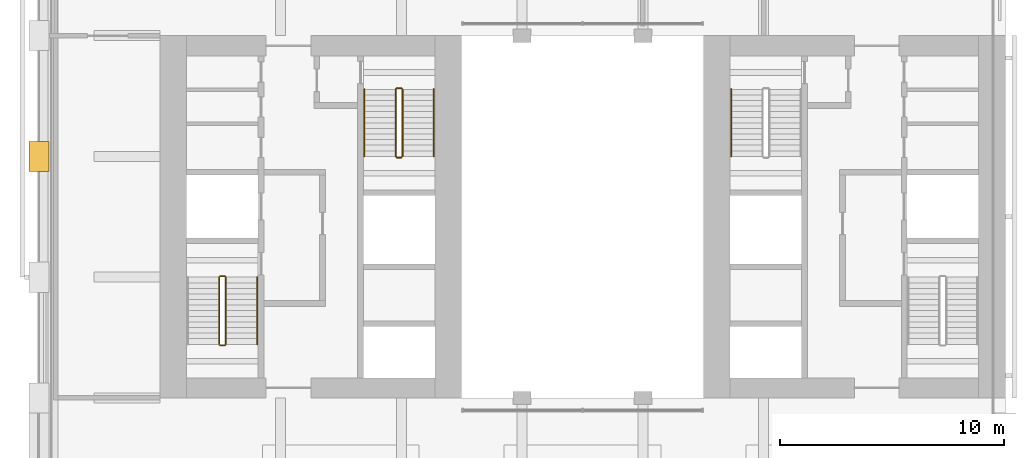
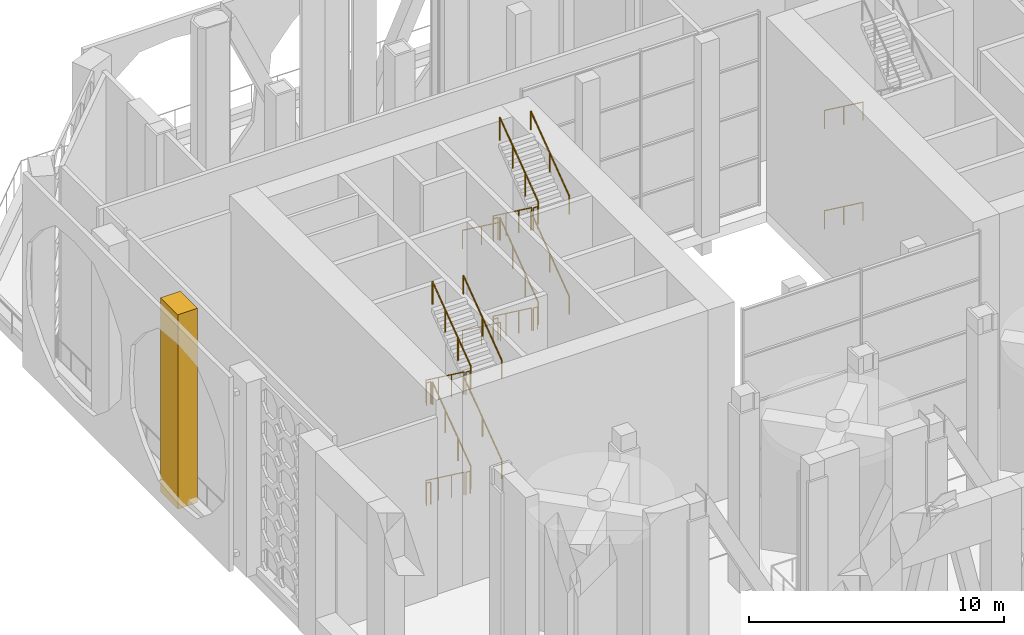
# One storey, part 23 of 28: 24 railings, 1 covering.
"""IFC4 building model written with IfcOpenShell, lengths in metres."""

from ifc_helpers import new_model, si_unit, direction, frame, frame_2d, origin, origin_2d, place, context, subcontext, project, spatial, rectangle, circle, extrude, material, type_object, element, save


model = new_model("IFC4")

# Units and contexts
model_context = context("Model", 3, precision=1e-05, world=origin(), true_north=direction((0.0, 1.0)))
body_context = subcontext(model_context, "Body", "Model", "MODEL_VIEW")
ifc_project = project(units=[si_unit("LENGTHUNIT", "METRE"), si_unit("AREAUNIT", "SQUARE_METRE"), si_unit("VOLUMEUNIT", "CUBIC_METRE"), si_unit("PLANEANGLEUNIT", "RADIAN"), si_unit("MASSUNIT", "GRAM", prefix="KILO")], contexts=[model_context])

# Site, building, storey
site_placement = place(None, origin())
site = spatial("IfcSite", under=ifc_project, at=site_placement, CompositionType="ELEMENT")
building_placement = place(site_placement, origin())
building = spatial("IfcBuilding", under=site, at=building_placement, Name="Tabaq Tower and Sports Hall", CompositionType="ELEMENT")
storey_placement = place(building_placement, frame((0.0, 0.0, 233.5)))
storey = spatial("IfcBuildingStorey", under=building, at=storey_placement, Name="L59", CompositionType="ELEMENT", Elevation=233.5)

# Covering
ifc_material_1 = material(Name="White precast concrete C60/75", Category="concrete")
covering_type = type_object("IfcCoveringType", Name="Pier cladding hung 1350x900", PredefinedType="CLADDING", material=ifc_material_1)
covering_placement = place(storey_placement, frame((0.0, 27.675048828125, 0.0), z_axis=(0.0, 0.0, 1.0), x_axis=(0.0, -1.0, 0.0)))
element("IfcCovering", 1, at=covering_placement, inside=storey, type_object=covering_type, Name="Hung pier cladding 0/5", PredefinedType="CLADDING", context=body_context, shape_type="SweptSolid", body=[
    extrude(rectangle(XDim=1.35009765625, YDim=0.89990234375, at=frame_2d((0.675048828125, 0.0))), origin(), (0.0, 0.0, 1.0), 9.300048828125),
])

# Railings
ifc_material_2 = material(Name="Stainless steel", Category="steel")
railing_type_1 = type_object("IfcRailingType", Name="Stair guard", PredefinedType="GUARDRAIL", material=ifc_material_2)
railing_1_placement = place(storey_placement, frame((8.050048828125, 21.60009765625, 0.1845703125)))
element("IfcRailing", 2, at=railing_1_placement, inside=storey, type_object=railing_type_1, Name="L59 ST1 stair guard 1", PredefinedType="GUARDRAIL", context=body_context, shape_type="SweptSolid", body=[
    extrude(circle(Radius=0.02392578125, at=origin_2d()), frame((0.0, 0.0, 1.076171875), z_axis=(0.0, -0.804440004972, 0.594033903411), x_axis=(1.0, 0.0, 0.0)), (0.0, 0.0, 1.0), 3.729248046875),
    extrude(circle(Radius=0.02099609375, at=origin_2d()), origin(), (0.0, 0.0, 1.0), 1.052001953125),
    extrude(circle(Radius=0.02099609375, at=origin_2d()), frame((0.0, -1.0, 0.738525390625)), (0.0, 0.0, 1.0), 1.052001953125),
    extrude(circle(Radius=0.02099609375, at=origin_2d()), frame((0.0, -2.0, 1.476806640625)), (0.0, 0.0, 1.0), 1.052001953125),
    extrude(circle(Radius=0.02099609375, at=origin_2d()), frame((0.0, -3.0, 2.21533203125)), (0.0, 0.0, 1.0), 1.052001953125),
])
railing_2_placement = place(storey_placement, frame((8.10009765625, 18.550048828125, 2.39990234375)))
element("IfcRailing", 3, at=railing_2_placement, inside=storey, type_object=railing_type_1, Name="L59 ST1 stair guard 2", PredefinedType="GUARDRAIL", context=body_context, shape_type="SweptSolid", body=[
    extrude(circle(Radius=0.02392578125, at=origin_2d()), frame((0.0, 0.0, 1.076171875), z_axis=(1.0, 0.0, 0.0), x_axis=(0.0, 1.0, 0.0)), (0.0, 0.0, 1.0), 0.199951171875),
    extrude(circle(Radius=0.02099609375, at=origin_2d()), origin(), (0.0, 0.0, 1.0), 1.052001953125),
    extrude(circle(Radius=0.02099609375, at=origin_2d()), frame((0.199951171875, 0.0, 0.0)), (0.0, 0.0, 1.0), 1.052001953125),
])
railing_3_placement = place(storey_placement, frame((8.35009765625, 18.60009765625, 2.584716796875)))
element("IfcRailing", 4, at=railing_3_placement, inside=storey, type_object=railing_type_1, Name="L59 ST1 stair guard 3", PredefinedType="GUARDRAIL", context=body_context, shape_type="SweptSolid", body=[
    extrude(circle(Radius=0.02392578125, at=origin_2d()), frame((0.0, 0.0, 1.076171875), z_axis=(0.0, 0.804440004972, 0.594033903411), x_axis=(-1.0, 0.0, 0.0)), (0.0, 0.0, 1.0), 3.729248046875),
    extrude(circle(Radius=0.02099609375, at=origin_2d()), origin(), (0.0, 0.0, 1.0), 1.052001953125),
    extrude(circle(Radius=0.02099609375, at=origin_2d()), frame((0.0, 1.0, 0.738525390625)), (0.0, 0.0, 1.0), 1.052001953125),
    extrude(circle(Radius=0.02099609375, at=origin_2d()), frame((0.0, 2.0, 1.476806640625)), (0.0, 0.0, 1.0), 1.052001953125),
    extrude(circle(Radius=0.02099609375, at=origin_2d()), frame((0.0, 3.0, 2.21533203125)), (0.0, 0.0, 1.0), 1.052001953125),
])
railing_4_placement = place(storey_placement, frame((8.10009765625, 21.64990234375, 4.800048828125)))
element("IfcRailing", 5, at=railing_4_placement, inside=storey, type_object=railing_type_1, Name="L59 ST1 stair guard 4", PredefinedType="GUARDRAIL", context=body_context, shape_type="SweptSolid", body=[
    extrude(circle(Radius=0.02392578125, at=origin_2d()), frame((0.0, 0.0, 1.076171875), z_axis=(1.0, 0.0, 0.0), x_axis=(0.0, 1.0, 0.0)), (0.0, 0.0, 1.0), 0.199951171875),
    extrude(circle(Radius=0.02099609375, at=origin_2d()), origin(), (0.0, 0.0, 1.0), 1.052001953125),
    extrude(circle(Radius=0.02099609375, at=origin_2d()), frame((0.199951171875, 0.0, 0.0)), (0.0, 0.0, 1.0), 1.052001953125),
])
railing_5_placement = place(storey_placement, frame((8.050048828125, 21.60009765625, 4.984619140625)))
element("IfcRailing", 6, at=railing_5_placement, inside=storey, type_object=railing_type_1, Name="L59 ST1 stair guard 5", PredefinedType="GUARDRAIL", context=body_context, shape_type="SweptSolid", body=[
    extrude(circle(Radius=0.02392578125, at=origin_2d()), frame((0.0, 0.0, 1.076171875), z_axis=(0.0, -0.804440004972, 0.594033903411), x_axis=(1.0, 0.0, 0.0)), (0.0, 0.0, 1.0), 3.729248046875),
    extrude(circle(Radius=0.02099609375, at=origin_2d()), origin(), (0.0, 0.0, 1.0), 1.052001953125),
    extrude(circle(Radius=0.02099609375, at=origin_2d()), frame((0.0, -1.0, 0.738525390625)), (0.0, 0.0, 1.0), 1.052001953125),
    extrude(circle(Radius=0.02099609375, at=origin_2d()), frame((0.0, -2.0, 1.476806640625)), (0.0, 0.0, 1.0), 1.052001953125),
    extrude(circle(Radius=0.02099609375, at=origin_2d()), frame((0.0, -3.0, 2.21533203125)), (0.0, 0.0, 1.0), 1.052001953125),
])
railing_6_placement = place(storey_placement, frame((8.10009765625, 18.550048828125, 7.199951171875)))
element("IfcRailing", 7, at=railing_6_placement, inside=storey, type_object=railing_type_1, Name="L59 ST1 stair guard 6", PredefinedType="GUARDRAIL", context=body_context, shape_type="SweptSolid", body=[
    extrude(circle(Radius=0.02392578125, at=origin_2d()), frame((0.0, 0.0, 1.076171875), z_axis=(1.0, 0.0, 0.0), x_axis=(0.0, 1.0, 0.0)), (0.0, 0.0, 1.0), 0.199951171875),
    extrude(circle(Radius=0.02099609375, at=origin_2d()), origin(), (0.0, 0.0, 1.0), 1.052001953125),
    extrude(circle(Radius=0.02099609375, at=origin_2d()), frame((0.199951171875, 0.0, 0.0)), (0.0, 0.0, 1.0), 1.052001953125),
])
railing_7_placement = place(storey_placement, frame((8.35009765625, 18.60009765625, 7.384521484375)))
element("IfcRailing", 8, at=railing_7_placement, inside=storey, type_object=railing_type_1, Name="L59 ST1 stair guard 7", PredefinedType="GUARDRAIL", context=body_context, shape_type="SweptSolid", body=[
    extrude(circle(Radius=0.02392578125, at=origin_2d()), frame((0.0, 0.0, 1.076171875), z_axis=(0.0, 0.804408721428, 0.594076265214), x_axis=(-1.0, 0.0, 0.0)), (0.0, 0.0, 1.0), 3.7294921875),
    extrude(circle(Radius=0.02099609375, at=origin_2d()), origin(), (0.0, 0.0, 1.0), 1.052001953125),
    extrude(circle(Radius=0.02099609375, at=origin_2d()), frame((0.0, 1.0, 0.738525390625)), (0.0, 0.0, 1.0), 1.052001953125),
    extrude(circle(Radius=0.02099609375, at=origin_2d()), frame((0.0, 2.0, 1.47705078125)), (0.0, 0.0, 1.0), 1.052001953125),
    extrude(circle(Radius=0.02099609375, at=origin_2d()), frame((0.0, 3.0, 2.215576171875)), (0.0, 0.0, 1.0), 1.052001953125),
])
railing_8_placement = place(storey_placement, frame((8.10009765625, 21.64990234375, 0.0)))
element("IfcRailing", 9, at=railing_8_placement, inside=storey, type_object=railing_type_1, Name="L59 ST1 stair guard 8", PredefinedType="GUARDRAIL", context=body_context, shape_type="SweptSolid", body=[
    extrude(circle(Radius=0.02392578125, at=origin_2d()), frame((0.0, 0.0, 1.076171875), z_axis=(1.0, 0.0, 0.0), x_axis=(0.0, 1.0, 0.0)), (0.0, 0.0, 1.0), 0.199951171875),
    extrude(circle(Radius=0.02099609375, at=origin_2d()), origin(), (0.0, 0.0, 1.0), 1.052001953125),
    extrude(circle(Radius=0.02099609375, at=origin_2d()), frame((0.199951171875, 0.0, 0.0)), (0.0, 0.0, 1.0), 1.052001953125),
])
railing_9_placement = place(storey_placement, frame((15.949951171875, 30.0, 0.1845703125)))
element("IfcRailing", 10, at=railing_9_placement, inside=storey, type_object=railing_type_1, Name="L59 ST2 stair guard 1", PredefinedType="GUARDRAIL", context=body_context, shape_type="SweptSolid", body=[
    extrude(circle(Radius=0.02392578125, at=origin_2d()), frame((0.0, 0.0, 1.076171875), z_axis=(0.0, -0.804440004972, 0.594033903411), x_axis=(1.0, 0.0, 0.0)), (0.0, 0.0, 1.0), 3.729248046875),
    extrude(circle(Radius=0.02099609375, at=origin_2d()), origin(), (0.0, 0.0, 1.0), 1.052001953125),
    extrude(circle(Radius=0.02099609375, at=origin_2d()), frame((0.0, -1.0, 0.738525390625)), (0.0, 0.0, 1.0), 1.052001953125),
    extrude(circle(Radius=0.02099609375, at=origin_2d()), frame((0.0, -2.0, 1.476806640625)), (0.0, 0.0, 1.0), 1.052001953125),
    extrude(circle(Radius=0.02099609375, at=origin_2d()), frame((0.0, -3.0, 2.21533203125)), (0.0, 0.0, 1.0), 1.052001953125),
])
railing_10_placement = place(storey_placement, frame((16.0, 26.949951171875, 2.39990234375)))
element("IfcRailing", 11, at=railing_10_placement, inside=storey, type_object=railing_type_1, Name="L59 ST2 stair guard 2", PredefinedType="GUARDRAIL", context=body_context, shape_type="SweptSolid", body=[
    extrude(circle(Radius=0.02392578125, at=origin_2d()), frame((0.0, 0.0, 1.076171875), z_axis=(1.0, 0.0, 0.0), x_axis=(0.0, 1.0, 0.0)), (0.0, 0.0, 1.0), 0.199951171875),
    extrude(circle(Radius=0.02099609375, at=origin_2d()), origin(), (0.0, 0.0, 1.0), 1.052001953125),
    extrude(circle(Radius=0.02099609375, at=origin_2d()), frame((0.199951171875, 0.0, 0.0)), (0.0, 0.0, 1.0), 1.052001953125),
])
railing_11_placement = place(storey_placement, frame((16.25, 27.0, 2.584716796875)))
element("IfcRailing", 12, at=railing_11_placement, inside=storey, type_object=railing_type_1, Name="L59 ST2 stair guard 3", PredefinedType="GUARDRAIL", context=body_context, shape_type="SweptSolid", body=[
    extrude(circle(Radius=0.02392578125, at=origin_2d()), frame((0.0, 0.0, 1.076171875), z_axis=(0.0, 0.804440004972, 0.594033903411), x_axis=(-1.0, 0.0, 0.0)), (0.0, 0.0, 1.0), 3.729248046875),
    extrude(circle(Radius=0.02099609375, at=origin_2d()), origin(), (0.0, 0.0, 1.0), 1.052001953125),
    extrude(circle(Radius=0.02099609375, at=origin_2d()), frame((0.0, 1.0, 0.738525390625)), (0.0, 0.0, 1.0), 1.052001953125),
    extrude(circle(Radius=0.02099609375, at=origin_2d()), frame((0.0, 2.0, 1.476806640625)), (0.0, 0.0, 1.0), 1.052001953125),
    extrude(circle(Radius=0.02099609375, at=origin_2d()), frame((0.0, 3.0, 2.21533203125)), (0.0, 0.0, 1.0), 1.052001953125),
])
railing_12_placement = place(storey_placement, frame((16.0, 30.050048828125, 4.800048828125)))
element("IfcRailing", 13, at=railing_12_placement, inside=storey, type_object=railing_type_1, Name="L59 ST2 stair guard 4", PredefinedType="GUARDRAIL", context=body_context, shape_type="SweptSolid", body=[
    extrude(circle(Radius=0.02392578125, at=origin_2d()), frame((0.0, 0.0, 1.076171875), z_axis=(1.0, 0.0, 0.0), x_axis=(0.0, 1.0, 0.0)), (0.0, 0.0, 1.0), 0.199951171875),
    extrude(circle(Radius=0.02099609375, at=origin_2d()), origin(), (0.0, 0.0, 1.0), 1.052001953125),
    extrude(circle(Radius=0.02099609375, at=origin_2d()), frame((0.199951171875, 0.0, 0.0)), (0.0, 0.0, 1.0), 1.052001953125),
])
railing_13_placement = place(storey_placement, frame((15.949951171875, 30.0, 4.984619140625)))
element("IfcRailing", 14, at=railing_13_placement, inside=storey, type_object=railing_type_1, Name="L59 ST2 stair guard 5", PredefinedType="GUARDRAIL", context=body_context, shape_type="SweptSolid", body=[
    extrude(circle(Radius=0.02392578125, at=origin_2d()), frame((0.0, 0.0, 1.076171875), z_axis=(0.0, -0.804440004972, 0.594033903411), x_axis=(1.0, 0.0, 0.0)), (0.0, 0.0, 1.0), 3.729248046875),
    extrude(circle(Radius=0.02099609375, at=origin_2d()), origin(), (0.0, 0.0, 1.0), 1.052001953125),
    extrude(circle(Radius=0.02099609375, at=origin_2d()), frame((0.0, -1.0, 0.738525390625)), (0.0, 0.0, 1.0), 1.052001953125),
    extrude(circle(Radius=0.02099609375, at=origin_2d()), frame((0.0, -2.0, 1.476806640625)), (0.0, 0.0, 1.0), 1.052001953125),
    extrude(circle(Radius=0.02099609375, at=origin_2d()), frame((0.0, -3.0, 2.21533203125)), (0.0, 0.0, 1.0), 1.052001953125),
])
railing_14_placement = place(storey_placement, frame((16.0, 26.949951171875, 7.199951171875)))
element("IfcRailing", 15, at=railing_14_placement, inside=storey, type_object=railing_type_1, Name="L59 ST2 stair guard 6", PredefinedType="GUARDRAIL", context=body_context, shape_type="SweptSolid", body=[
    extrude(circle(Radius=0.02392578125, at=origin_2d()), frame((0.0, 0.0, 1.076171875), z_axis=(1.0, 0.0, 0.0), x_axis=(0.0, 1.0, 0.0)), (0.0, 0.0, 1.0), 0.199951171875),
    extrude(circle(Radius=0.02099609375, at=origin_2d()), origin(), (0.0, 0.0, 1.0), 1.052001953125),
    extrude(circle(Radius=0.02099609375, at=origin_2d()), frame((0.199951171875, 0.0, 0.0)), (0.0, 0.0, 1.0), 1.052001953125),
])
railing_15_placement = place(storey_placement, frame((16.25, 27.0, 7.384521484375)))
element("IfcRailing", 16, at=railing_15_placement, inside=storey, type_object=railing_type_1, Name="L59 ST2 stair guard 7", PredefinedType="GUARDRAIL", context=body_context, shape_type="SweptSolid", body=[
    extrude(circle(Radius=0.02392578125, at=origin_2d()), frame((0.0, 0.0, 1.076171875), z_axis=(0.0, 0.804408721428, 0.594076265214), x_axis=(-1.0, 0.0, 0.0)), (0.0, 0.0, 1.0), 3.7294921875),
    extrude(circle(Radius=0.02099609375, at=origin_2d()), origin(), (0.0, 0.0, 1.0), 1.052001953125),
    extrude(circle(Radius=0.02099609375, at=origin_2d()), frame((0.0, 1.0, 0.738525390625)), (0.0, 0.0, 1.0), 1.052001953125),
    extrude(circle(Radius=0.02099609375, at=origin_2d()), frame((0.0, 2.0, 1.47705078125)), (0.0, 0.0, 1.0), 1.052001953125),
    extrude(circle(Radius=0.02099609375, at=origin_2d()), frame((0.0, 3.0, 2.215576171875)), (0.0, 0.0, 1.0), 1.052001953125),
])
railing_16_placement = place(storey_placement, frame((16.0, 30.050048828125, 0.0)))
element("IfcRailing", 17, at=railing_16_placement, inside=storey, type_object=railing_type_1, Name="L59 ST2 stair guard 8", PredefinedType="GUARDRAIL", context=body_context, shape_type="SweptSolid", body=[
    extrude(circle(Radius=0.02392578125, at=origin_2d()), frame((0.0, 0.0, 1.076171875), z_axis=(1.0, 0.0, 0.0), x_axis=(0.0, 1.0, 0.0)), (0.0, 0.0, 1.0), 0.199951171875),
    extrude(circle(Radius=0.02099609375, at=origin_2d()), origin(), (0.0, 0.0, 1.0), 1.052001953125),
    extrude(circle(Radius=0.02099609375, at=origin_2d()), frame((0.199951171875, 0.0, 0.0)), (0.0, 0.0, 1.0), 1.052001953125),
])
ifc_material_3 = material(Name="Stainless steel", Category="steel")
railing_type_2 = type_object("IfcRailingType", Name="Stair handrail", PredefinedType="HANDRAIL", material=ifc_material_3)
railing_17_placement = place(storey_placement, frame((9.75, 18.60009765625, 2.584716796875)))
element("IfcRailing", 18, at=railing_17_placement, inside=storey, type_object=railing_type_2, Name="L59 ST1 stair handrail 2", PredefinedType="HANDRAIL", context=body_context, shape_type="SweptSolid", body=[
    extrude(circle(Radius=0.02392578125, at=origin_2d()), frame((0.0, 0.0, 0.8759765625), z_axis=(0.0, 0.804440004972, 0.594033903411), x_axis=(-1.0, 0.0, 0.0)), (0.0, 0.0, 1.0), 3.729248046875),
    extrude(circle(Radius=0.02099609375, at=origin_2d()), origin(), (0.0, 0.0, 1.0), 0.851806640625),
    extrude(circle(Radius=0.02099609375, at=origin_2d()), frame((0.0, 1.5, 1.107666015625)), (0.0, 0.0, 1.0), 0.851806640625),
    extrude(circle(Radius=0.02099609375, at=origin_2d()), frame((0.0, 3.0, 2.21533203125)), (0.0, 0.0, 1.0), 0.851806640625),
])
railing_18_placement = place(storey_placement, frame((9.75, 18.60009765625, 7.384521484375)))
element("IfcRailing", 19, at=railing_18_placement, inside=storey, type_object=railing_type_2, Name="L59 ST1 stair handrail 4", PredefinedType="HANDRAIL", context=body_context, shape_type="SweptSolid", body=[
    extrude(circle(Radius=0.02392578125, at=origin_2d()), frame((0.0, 0.0, 0.8759765625), z_axis=(0.0, 0.804408721428, 0.594076265214), x_axis=(-1.0, 0.0, 0.0)), (0.0, 0.0, 1.0), 3.7294921875),
    extrude(circle(Radius=0.02099609375, at=origin_2d()), origin(), (0.0, 0.0, 1.0), 0.851806640625),
    extrude(circle(Radius=0.02099609375, at=origin_2d()), frame((0.0, 1.5, 1.10791015625)), (0.0, 0.0, 1.0), 0.851806640625),
    extrude(circle(Radius=0.02099609375, at=origin_2d()), frame((0.0, 3.0, 2.215576171875)), (0.0, 0.0, 1.0), 0.851806640625),
])
railing_19_placement = place(storey_placement, frame((14.550048828125, 30.0, 0.1845703125)))
element("IfcRailing", 20, at=railing_19_placement, inside=storey, type_object=railing_type_2, Name="L59 ST2 stair handrail 1", PredefinedType="HANDRAIL", context=body_context, shape_type="SweptSolid", body=[
    extrude(circle(Radius=0.02392578125, at=origin_2d()), frame((0.0, 0.0, 0.8759765625), z_axis=(0.0, -0.804440004972, 0.594033903411), x_axis=(1.0, 0.0, 0.0)), (0.0, 0.0, 1.0), 3.729248046875),
    extrude(circle(Radius=0.02099609375, at=origin_2d()), origin(), (0.0, 0.0, 1.0), 0.851806640625),
    extrude(circle(Radius=0.02099609375, at=origin_2d()), frame((0.0, -1.5, 1.107666015625)), (0.0, 0.0, 1.0), 0.851806640625),
    extrude(circle(Radius=0.02099609375, at=origin_2d()), frame((0.0, -3.0, 2.21533203125)), (0.0, 0.0, 1.0), 0.851806640625),
])
railing_20_placement = place(storey_placement, frame((17.64990234375, 27.0, 2.584716796875)))
element("IfcRailing", 21, at=railing_20_placement, inside=storey, type_object=railing_type_2, Name="L59 ST2 stair handrail 2", PredefinedType="HANDRAIL", context=body_context, shape_type="SweptSolid", body=[
    extrude(circle(Radius=0.02392578125, at=origin_2d()), frame((0.0, 0.0, 0.8759765625), z_axis=(0.0, 0.804440004972, 0.594033903411), x_axis=(-1.0, 0.0, 0.0)), (0.0, 0.0, 1.0), 3.729248046875),
    extrude(circle(Radius=0.02099609375, at=origin_2d()), origin(), (0.0, 0.0, 1.0), 0.851806640625),
    extrude(circle(Radius=0.02099609375, at=origin_2d()), frame((0.0, 1.5, 1.107666015625)), (0.0, 0.0, 1.0), 0.851806640625),
    extrude(circle(Radius=0.02099609375, at=origin_2d()), frame((0.0, 3.0, 2.21533203125)), (0.0, 0.0, 1.0), 0.851806640625),
])
railing_21_placement = place(storey_placement, frame((14.550048828125, 30.0, 4.984619140625)))
element("IfcRailing", 22, at=railing_21_placement, inside=storey, type_object=railing_type_2, Name="L59 ST2 stair handrail 3", PredefinedType="HANDRAIL", context=body_context, shape_type="SweptSolid", body=[
    extrude(circle(Radius=0.02392578125, at=origin_2d()), frame((0.0, 0.0, 0.8759765625), z_axis=(0.0, -0.804440004972, 0.594033903411), x_axis=(1.0, 0.0, 0.0)), (0.0, 0.0, 1.0), 3.729248046875),
    extrude(circle(Radius=0.02099609375, at=origin_2d()), origin(), (0.0, 0.0, 1.0), 0.851806640625),
    extrude(circle(Radius=0.02099609375, at=origin_2d()), frame((0.0, -1.5, 1.107666015625)), (0.0, 0.0, 1.0), 0.851806640625),
    extrude(circle(Radius=0.02099609375, at=origin_2d()), frame((0.0, -3.0, 2.21533203125)), (0.0, 0.0, 1.0), 0.851806640625),
])
railing_22_placement = place(storey_placement, frame((17.64990234375, 27.0, 7.384521484375)))
element("IfcRailing", 23, at=railing_22_placement, inside=storey, type_object=railing_type_2, Name="L59 ST2 stair handrail 4", PredefinedType="HANDRAIL", context=body_context, shape_type="SweptSolid", body=[
    extrude(circle(Radius=0.02392578125, at=origin_2d()), frame((0.0, 0.0, 0.8759765625), z_axis=(0.0, 0.804408721428, 0.594076265214), x_axis=(-1.0, 0.0, 0.0)), (0.0, 0.0, 1.0), 3.7294921875),
    extrude(circle(Radius=0.02099609375, at=origin_2d()), origin(), (0.0, 0.0, 1.0), 0.851806640625),
    extrude(circle(Radius=0.02099609375, at=origin_2d()), frame((0.0, 1.5, 1.10791015625)), (0.0, 0.0, 1.0), 0.851806640625),
    extrude(circle(Radius=0.02099609375, at=origin_2d()), frame((0.0, 3.0, 2.215576171875)), (0.0, 0.0, 1.0), 0.851806640625),
])
for number, where, name in (
    (24, (30.949951171875, 30.0, 0.1845703125), "L59 ST4 stair handrail 1"),
    (25, (30.949951171875, 30.0, 4.984619140625), "L59 ST4 stair handrail 3"),
):
    element("IfcRailing", number, at=place(storey_placement, frame(where)), inside=storey, type_object=railing_type_2, Name=name, PredefinedType="HANDRAIL", context=body_context, shape_type="SweptSolid", body=[
        extrude(circle(Radius=0.02392578125, at=origin_2d()), frame((0.0, 0.0, 0.8759765625), z_axis=(0.0, -0.804440004972, 0.594033903411), x_axis=(1.0, 0.0, 0.0)), (0.0, 0.0, 1.0), 3.729248046875),
        extrude(circle(Radius=0.02099609375, at=origin_2d()), origin(), (0.0, 0.0, 1.0), 0.851806640625),
        extrude(circle(Radius=0.02099609375, at=origin_2d()), frame((0.0, -1.5, 1.107666015625)), (0.0, 0.0, 1.0), 0.851806640625),
        extrude(circle(Radius=0.02099609375, at=origin_2d()), frame((0.0, -3.0, 2.21533203125)), (0.0, 0.0, 1.0), 0.851806640625),
    ])

save(model, "model.ifc")
